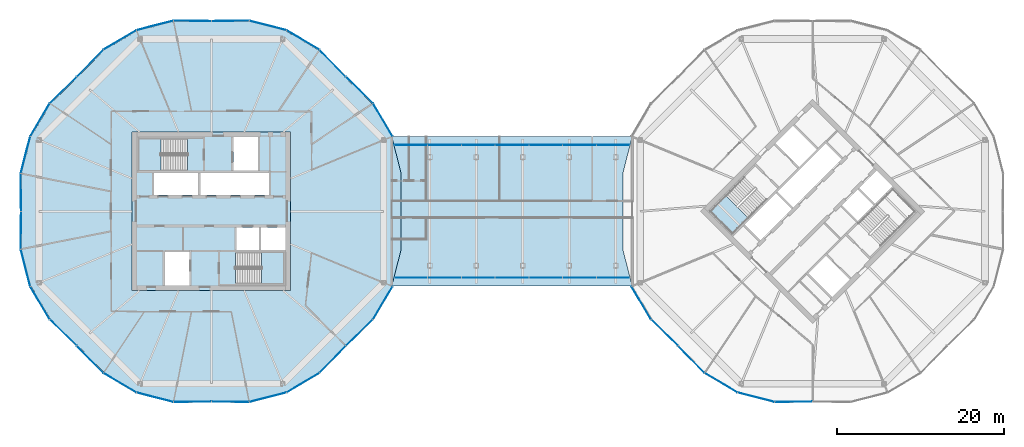
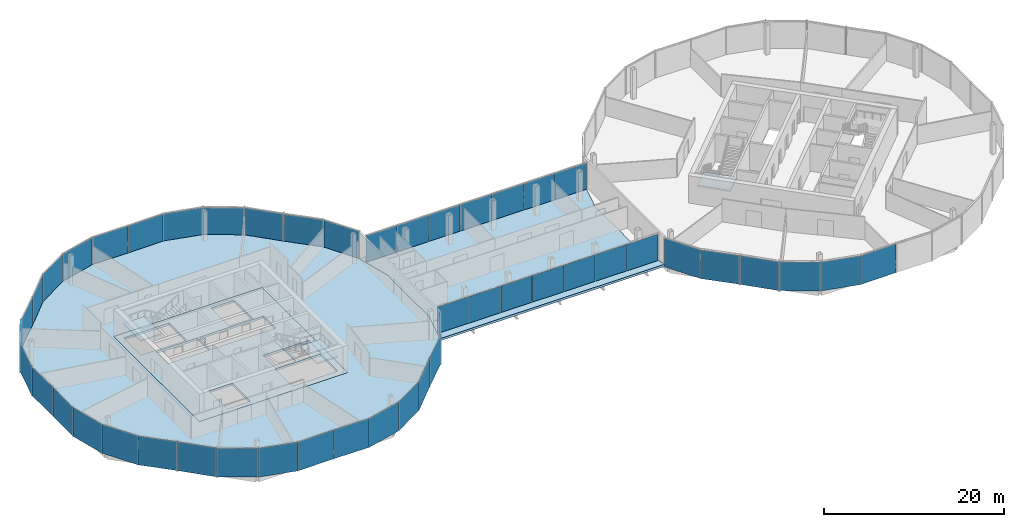
# One storey, part 17 of 25: 48 plates, 6 slabs, 15 elements without a shape of their own.
"""IFC4 building model written with IfcOpenShell, lengths in metres."""

from ifc_helpers import new_model, si_unit, direction, frame, origin, origin_2d, place, context, subcontext, project, spatial, polyline, rectangle, outline, extrude, material, layer, layer_set, type_object, element, aggregate, save


model = new_model("IFC4")

# Units and contexts
model_context = context("Model", 3, precision=1e-05, world=origin(), true_north=direction((0.0, 1.0)))
body_context = subcontext(model_context, "Body", "Model", "MODEL_VIEW")
ifc_project = project(units=[si_unit("LENGTHUNIT", "METRE"), si_unit("AREAUNIT", "SQUARE_METRE"), si_unit("VOLUMEUNIT", "CUBIC_METRE"), si_unit("PLANEANGLEUNIT", "RADIAN"), si_unit("MASSUNIT", "GRAM", prefix="KILO")], contexts=[model_context])

# Site, building, storey
site_placement = place(None, origin())
site = spatial("IfcSite", under=ifc_project, at=site_placement, CompositionType="ELEMENT")
building_placement = place(site_placement, origin())
building = spatial("IfcBuilding", under=site, at=building_placement, Name="Ogive Gate Towers", CompositionType="ELEMENT")
storey_placement = place(building_placement, frame((0.0, 0.0, 140.800048828125)))
storey = spatial("IfcBuildingStorey", under=building, at=storey_placement, Name="L33", CompositionType="ELEMENT", Elevation=140.800048828125)

# Slabs
ifc_material_1 = material(Name="Concrete C40/50", Category="concrete")
ifc_layer_1 = layer(ifc_material_1, 0.300048828125)
ifc_layer_set_1 = layer_set([ifc_layer_1], Name="Core slab C40/50 300 mm")
slab_type_1 = type_object("IfcSlabType", Name="Core slab C40/50 300 mm", PredefinedType="FLOOR", material=ifc_layer_set_1)
slab_1_placement = place(storey_placement, frame((0.0, 0.0, -0.300048828125)))
element("IfcSlab", 1, at=slab_1_placement, inside=storey, type_object=slab_type_1, Name="T1 L33 core slab", PredefinedType="FLOOR", context=body_context, shape_type="SweptSolid", body=[
    extrude(outline(polyline([(-45.5, -9.5), (-45.5, 9.5), (-26.5, 9.5), (-26.5, -9.5), (-45.5, -9.5)]), holes=[polyline([(-42.875, 1.949951171875), (-37.574951171875, 1.949951171875), (-37.574951171875, 4.625), (-42.875, 4.625), (-42.875, 1.949951171875)]), polyline([(-37.324951171875, 4.625), (-37.324951171875, 1.949951171875), (-29.125, 1.949951171875), (-29.125, 4.625), (-37.324951171875, 4.625)]), polyline([(-30.324951171875, -1.949951171875), (-32.97509765625, -1.949951171875), (-32.97509765625, -4.625), (-30.324951171875, -4.625), (-30.324951171875, -1.949951171875)]), polyline([(-27.10009765625, -4.625), (-27.10009765625, -1.949951171875), (-30.074951171875, -1.949951171875), (-30.074951171875, -4.625), (-27.10009765625, -4.625)]), polyline([(-33.375, 4.875), (-30.425048828125, 4.875), (-30.425048828125, 8.89990234375), (-33.375, 8.89990234375), (-33.375, 4.875)]), polyline([(-41.574951171875, -4.875), (-41.574951171875, -8.89990234375), (-38.625, -8.89990234375), (-38.625, -4.875), (-41.574951171875, -4.875)]), polyline([(-44.699951171875, 4.875), (-38.885009765625, 4.875), (-38.885009765625, 8.699951171875), (-44.699951171875, 8.699951171875), (-44.699951171875, 4.875)]), polyline([(-27.300048828125, -8.699951171875), (-27.300048828125, -4.875), (-33.114990234375, -4.875), (-33.114990234375, -8.699951171875), (-27.300048828125, -8.699951171875)])]), origin(), (0.0, 0.0, 1.0), 0.300048828125),
])
ifc_material_2 = material(Name="Concrete C35/45", Category="concrete")
ifc_layer_2 = layer(ifc_material_2, 0.300048828125)
ifc_layer_set_2 = layer_set([ifc_layer_2], Name="Floor slab 300")
slab_type_2 = type_object("IfcSlabType", Name="Floor slab 300", PredefinedType="FLOOR", material=ifc_layer_set_2)
slab_2_placement = place(storey_placement, frame((0.0, 0.0, -0.300048828125)))
element("IfcSlab", 2, at=slab_2_placement, inside=storey, type_object=slab_type_2, Name="T1/L33/SSL001", PredefinedType="FLOOR", context=body_context, shape_type="SweptSolid", body=[
    extrude(outline(polyline([(-13.265380859375, -4.522216796875), (-13.320068359375, 0.0), (-13.265380859375, 4.522216796875), (-14.399658203125, 8.947021484375), (-16.7265625, 12.878173828125), (-19.962890625, 16.037109375), (-23.121826171875, 19.2734375), (-27.052978515625, 21.600341796875), (-31.477783203125, 22.734619140625), (-36.0, 22.679931640625), (-40.522216796875, 22.734619140625), (-44.947021484375, 21.600341796875), (-48.878173828125, 19.2734375), (-52.037109375, 16.037109375), (-55.2734375, 12.878173828125), (-57.600341796875, 8.947021484375), (-58.734619140625, 4.522216796875), (-58.679931640625, 0.0), (-58.734619140625, -4.522216796875), (-57.600341796875, -8.947021484375), (-55.2734375, -12.878173828125), (-52.037109375, -16.037109375), (-48.878173828125, -19.2734375), (-44.947021484375, -21.600341796875), (-40.522216796875, -22.734619140625), (-36.0, -22.679931640625), (-31.477783203125, -22.734619140625), (-27.052978515625, -21.600341796875), (-23.121826171875, -19.2734375), (-19.962890625, -16.037109375), (-16.7265625, -12.878173828125), (-14.399658203125, -8.947021484375), (-13.265380859375, -4.522216796875)]), holes=[polyline([(-26.5, -9.5), (-45.5, -9.5), (-45.5, 9.5), (-26.5, 9.5), (-26.5, -9.5)])]), origin(), (0.0, 0.0, 1.0), 0.300048828125),
])
slab_3_placement = place(storey_placement, frame((0.0, 0.0, -0.300048828125)))
element("IfcSlab", 3, at=slab_3_placement, inside=storey, type_object=slab_type_2, Name="BR/L33/SSL001", PredefinedType="FLOOR", context=body_context, shape_type="SweptSolid", body=[
    extrude(outline(polyline([(-14.399658203125, -8.947021484375), (14.399658203125, -8.947021484375), (14.399658203125, -8.947021484375), (13.265380859375, -4.522216796875), (13.320068359375, 0.0), (13.265380859375, 4.522216796875), (14.399658203125, 8.947021484375), (-14.399658203125, 8.947021484375), (-13.265380859375, 4.522216796875), (-13.320068359375, 0.0), (-13.265380859375, -4.522216796875), (-14.399658203125, -8.947021484375), (-14.399658203125, -8.947021484375)])), origin(), (0.0, 0.0, 1.0), 0.300048828125),
])

# Curtain wall, plates
ifc_material_3 = material(Name="Pale metal aluminium", Category="aluminium")
curtain_wall_type_1 = type_object("IfcCurtainWallType", Name="Gate block facade", PredefinedType="NOTDEFINED", material=ifc_material_3)
curtain_wall_1_placement = place(storey_placement, origin())
curtain_wall_1 = element("IfcCurtainWall", 4, at=curtain_wall_1_placement, inside=storey, type_object=curtain_wall_type_1, Name="CW3 BR ECW01", PredefinedType="NOTDEFINED")
ifc_material_4 = material(Name="Clear glass", Category="glass")
ifc_layer_3 = layer(ifc_material_4, 0.028076171875)
ifc_layer_set_3 = layer_set([ifc_layer_3], Name="Gate block facade glass panel")
plate_type_1 = type_object("IfcPlateType", Name="Gate block facade glass panel", PredefinedType="CURTAIN_PANEL", material=ifc_layer_set_3)
plate_1_placement = place(storey_placement, frame((-12.122802734375, -7.947021484375, -0.30029296875), z_axis=(0.0, 0.0, 1.0), x_axis=(1.0, 0.0, 0.0)))
plate_1 = element("IfcPlate", 5, at=plate_1_placement, type_object=plate_type_1, Name="CW3 glass panel", PredefinedType="CURTAIN_PANEL", context=body_context, shape_type="SweptSolid", body=[
    extrude(rectangle(XDim=3.987060546875, YDim=0.028076171875, at=origin_2d()), origin(), (0.0, 0.0, 1.0), 3.884033203125),
])
plate_2_placement = place(storey_placement, frame((-8.081787109375, -7.947021484375, -0.30029296875), z_axis=(0.0, 0.0, 1.0), x_axis=(1.0, 0.0, 0.0)))
plate_2 = element("IfcPlate", 6, at=plate_2_placement, type_object=plate_type_1, Name="CW3 glass panel", PredefinedType="CURTAIN_PANEL", context=body_context, shape_type="SweptSolid", body=[
    extrude(rectangle(XDim=3.987060546875, YDim=0.028076171875, at=origin_2d()), origin(), (0.0, 0.0, 1.0), 3.884033203125),
])
plate_3_placement = place(storey_placement, frame((-4.041015625, -7.947021484375, -0.30029296875), z_axis=(0.0, 0.0, 1.0), x_axis=(1.0, 0.0, 0.0)))
plate_3 = element("IfcPlate", 7, at=plate_3_placement, type_object=plate_type_1, Name="CW3 glass panel", PredefinedType="CURTAIN_PANEL", context=body_context, shape_type="SweptSolid", body=[
    extrude(rectangle(XDim=3.98681640625, YDim=0.028076171875, at=origin_2d()), origin(), (0.0, 0.0, 1.0), 3.884033203125),
])
plate_4_placement = place(storey_placement, frame((0.0, -7.947021484375, -0.30029296875), z_axis=(0.0, 0.0, 1.0), x_axis=(1.0, 0.0, 0.0)))
plate_4 = element("IfcPlate", 8, at=plate_4_placement, type_object=plate_type_1, Name="CW3 glass panel", PredefinedType="CURTAIN_PANEL", context=body_context, shape_type="SweptSolid", body=[
    extrude(rectangle(XDim=3.987060546875, YDim=0.028076171875, at=origin_2d()), origin(), (0.0, 0.0, 1.0), 3.884033203125),
])
plate_5_placement = place(storey_placement, frame((4.041015625, -7.947021484375, -0.30029296875), z_axis=(0.0, 0.0, 1.0), x_axis=(1.0, 0.0, 0.0)))
plate_5 = element("IfcPlate", 9, at=plate_5_placement, type_object=plate_type_1, Name="CW3 glass panel", PredefinedType="CURTAIN_PANEL", context=body_context, shape_type="SweptSolid", body=[
    extrude(rectangle(XDim=3.98681640625, YDim=0.028076171875, at=origin_2d()), origin(), (0.0, 0.0, 1.0), 3.884033203125),
])
plate_6_placement = place(storey_placement, frame((8.081787109375, -7.947021484375, -0.30029296875), z_axis=(0.0, 0.0, 1.0), x_axis=(1.0, 0.0, 0.0)))
plate_6 = element("IfcPlate", 10, at=plate_6_placement, type_object=plate_type_1, Name="CW3 glass panel", PredefinedType="CURTAIN_PANEL", context=body_context, shape_type="SweptSolid", body=[
    extrude(rectangle(XDim=3.987060546875, YDim=0.028076171875, at=origin_2d()), origin(), (0.0, 0.0, 1.0), 3.884033203125),
])
plate_7_placement = place(storey_placement, frame((12.122802734375, -7.947021484375, -0.30029296875), z_axis=(0.0, 0.0, 1.0), x_axis=(1.0, 0.0, 0.0)))
plate_7 = element("IfcPlate", 11, at=plate_7_placement, type_object=plate_type_1, Name="CW3 glass panel", PredefinedType="CURTAIN_PANEL", context=body_context, shape_type="SweptSolid", body=[
    extrude(rectangle(XDim=3.987060546875, YDim=0.028076171875, at=origin_2d()), origin(), (0.0, 0.0, 1.0), 3.884033203125),
])
aggregate(curtain_wall_1, [plate_1, plate_2, plate_3, plate_4, plate_5, plate_6, plate_7])

curtain_wall_2_placement = place(storey_placement, origin())
curtain_wall_2 = element("IfcCurtainWall", 12, at=curtain_wall_2_placement, inside=storey, type_object=curtain_wall_type_1, Name="CW3 BR ECW02", PredefinedType="NOTDEFINED")
plate_8_placement = place(storey_placement, frame((12.122802734375, 7.947021484375, -0.30029296875), z_axis=(0.0, 0.0, 1.0), x_axis=(-1.0, 0.0, 0.0)))
plate_8 = element("IfcPlate", 13, at=plate_8_placement, type_object=plate_type_1, Name="CW3 glass panel", PredefinedType="CURTAIN_PANEL", context=body_context, shape_type="SweptSolid", body=[
    extrude(rectangle(XDim=3.987060546875, YDim=0.028076171875, at=origin_2d()), origin(), (0.0, 0.0, 1.0), 3.884033203125),
])
plate_9_placement = place(storey_placement, frame((8.081787109375, 7.947021484375, -0.30029296875), z_axis=(0.0, 0.0, 1.0), x_axis=(-1.0, 0.0, 0.0)))
plate_9 = element("IfcPlate", 14, at=plate_9_placement, type_object=plate_type_1, Name="CW3 glass panel", PredefinedType="CURTAIN_PANEL", context=body_context, shape_type="SweptSolid", body=[
    extrude(rectangle(XDim=3.987060546875, YDim=0.028076171875, at=origin_2d()), origin(), (0.0, 0.0, 1.0), 3.884033203125),
])
plate_10_placement = place(storey_placement, frame((4.041015625, 7.947021484375, -0.30029296875), z_axis=(0.0, 0.0, 1.0), x_axis=(-1.0, 0.0, 0.0)))
plate_10 = element("IfcPlate", 15, at=plate_10_placement, type_object=plate_type_1, Name="CW3 glass panel", PredefinedType="CURTAIN_PANEL", context=body_context, shape_type="SweptSolid", body=[
    extrude(rectangle(XDim=3.98681640625, YDim=0.028076171875, at=origin_2d()), origin(), (0.0, 0.0, 1.0), 3.884033203125),
])
plate_11_placement = place(storey_placement, frame((0.0, 7.947021484375, -0.30029296875), z_axis=(0.0, 0.0, 1.0), x_axis=(-1.0, 0.0, 0.0)))
plate_11 = element("IfcPlate", 16, at=plate_11_placement, type_object=plate_type_1, Name="CW3 glass panel", PredefinedType="CURTAIN_PANEL", context=body_context, shape_type="SweptSolid", body=[
    extrude(rectangle(XDim=3.987060546875, YDim=0.028076171875, at=origin_2d()), origin(), (0.0, 0.0, 1.0), 3.884033203125),
])
plate_12_placement = place(storey_placement, frame((-4.041015625, 7.947021484375, -0.30029296875), z_axis=(0.0, 0.0, 1.0), x_axis=(-1.0, 0.0, 0.0)))
plate_12 = element("IfcPlate", 17, at=plate_12_placement, type_object=plate_type_1, Name="CW3 glass panel", PredefinedType="CURTAIN_PANEL", context=body_context, shape_type="SweptSolid", body=[
    extrude(rectangle(XDim=3.98681640625, YDim=0.028076171875, at=origin_2d()), origin(), (0.0, 0.0, 1.0), 3.884033203125),
])
plate_13_placement = place(storey_placement, frame((-8.081787109375, 7.947021484375, -0.30029296875), z_axis=(0.0, 0.0, 1.0), x_axis=(-1.0, 0.0, 0.0)))
plate_13 = element("IfcPlate", 18, at=plate_13_placement, type_object=plate_type_1, Name="CW3 glass panel", PredefinedType="CURTAIN_PANEL", context=body_context, shape_type="SweptSolid", body=[
    extrude(rectangle(XDim=3.987060546875, YDim=0.028076171875, at=origin_2d()), origin(), (0.0, 0.0, 1.0), 3.884033203125),
])
plate_14_placement = place(storey_placement, frame((-12.122802734375, 7.947021484375, -0.30029296875), z_axis=(0.0, 0.0, 1.0), x_axis=(-1.0, 0.0, 0.0)))
plate_14 = element("IfcPlate", 19, at=plate_14_placement, type_object=plate_type_1, Name="CW3 glass panel", PredefinedType="CURTAIN_PANEL", context=body_context, shape_type="SweptSolid", body=[
    extrude(rectangle(XDim=3.987060546875, YDim=0.028076171875, at=origin_2d()), origin(), (0.0, 0.0, 1.0), 3.884033203125),
])
aggregate(curtain_wall_2, [plate_8, plate_9, plate_10, plate_11, plate_12, plate_13, plate_14])

# Stair, slab
stair_type = type_object("IfcStairType", Name="Escape stair 1840 wide", PredefinedType="HALF_TURN_STAIR", material=ifc_material_1)
stair_1_placement = place(storey_placement, origin())
stair_1 = element("IfcStair", 20, at=stair_1_placement, inside=storey, type_object=stair_type, Name="L33 Escape stair 1", PredefinedType="HALF_TURN_STAIR")
ifc_layer_4 = layer(ifc_material_1, 0.199951171875)
ifc_layer_set_4 = layer_set([ifc_layer_4], Name="Stair landing 200 mm")
slab_type_3 = type_object("IfcSlabType", Name="Stair landing 200 mm", PredefinedType="LANDING", material=ifc_layer_set_4)
slab_4_placement = place(storey_placement, frame((0.0, 0.0, 1.800048828125)))
slab_4 = element("IfcSlab", 21, at=slab_4_placement, type_object=slab_type_3, Name="ST1 landing 1", PredefinedType="LANDING", context=body_context, shape_type="SweptSolid", body=[
    extrude(outline(polyline([(-42.027587890625, 8.699951171875), (-44.699951171875, 8.699951171875), (-44.699951171875, 4.875), (-42.027587890625, 4.875), (-42.027587890625, 8.699951171875)])), origin(), (0.0, 0.0, 1.0), 0.199951171875),
])
aggregate(stair_1, [slab_4])

stair_2_placement = place(storey_placement, origin())
stair_2 = element("IfcStair", 22, at=stair_2_placement, inside=storey, type_object=stair_type, Name="L33 Escape stair 2", PredefinedType="HALF_TURN_STAIR")
slab_5_placement = place(storey_placement, frame((0.0, 0.0, 1.800048828125)))
slab_5 = element("IfcSlab", 23, at=slab_5_placement, type_object=slab_type_3, Name="ST2 landing 1", PredefinedType="LANDING", context=body_context, shape_type="SweptSolid", body=[
    extrude(outline(polyline([(-29.972412109375, -8.699951171875), (-27.300048828125, -8.699951171875), (-27.300048828125, -4.875), (-29.972412109375, -4.875), (-29.972412109375, -8.699951171875)])), origin(), (0.0, 0.0, 1.0), 0.199951171875),
])
aggregate(stair_2, [slab_5])

stair_3_placement = place(storey_placement, origin())
stair_3 = element("IfcStair", 24, at=stair_3_placement, inside=storey, type_object=stair_type, Name="L33 Escape stair 1", PredefinedType="HALF_TURN_STAIR")
slab_6_placement = place(storey_placement, frame((0.0, 0.0, 1.800048828125)))
slab_6 = element("IfcSlab", 25, at=slab_6_placement, type_object=slab_type_3, Name="ST1 landing 1", PredefinedType="LANDING", context=body_context, shape_type="SweptSolid", body=[
    extrude(outline(polyline([(25.586181640625, 1.8896484375), (23.6962890625, 0.0), (26.401123046875, -2.70458984375), (28.290771484375, -0.81494140625), (25.586181640625, 1.8896484375)])), origin(), (0.0, 0.0, 1.0), 0.199951171875),
])
aggregate(stair_3, [slab_6])

# Curtain wall, plates
curtain_wall_type_2 = type_object("IfcCurtainWallType", Name="Tower unitised wall, high zone", PredefinedType="NOTDEFINED", material=ifc_material_3)
curtain_wall_3_placement = place(storey_placement, origin())
curtain_wall_3 = element("IfcCurtainWall", 26, at=curtain_wall_3_placement, inside=storey, type_object=curtain_wall_type_2, Name="CW2 T1 ECW01", PredefinedType="NOTDEFINED")
ifc_layer_5 = layer(ifc_material_4, 0.028076171875)
ifc_layer_set_5 = layer_set([ifc_layer_5], Name="Tower unitised wall, high zone glass panel")
plate_type_2 = type_object("IfcPlateType", Name="Tower unitised wall, high zone glass panel", PredefinedType="CURTAIN_PANEL", material=ifc_layer_set_5)
plate_15_placement = place(storey_placement, frame((-15.475830078125, 10.96142578125, -0.30029296875), z_axis=(0.0, 0.0, 1.0), x_axis=(-0.509371879429, 0.860546505685, 0.0)))
plate_15 = element("IfcPlate", 27, at=plate_15_placement, type_object=plate_type_2, Name="CW2 glass panel", PredefinedType="CURTAIN_PANEL", context=body_context, shape_type="SweptSolid", body=[
    extrude(rectangle(XDim=4.53759765625, YDim=0.028076171875, at=origin_2d()), origin(), (0.0, 0.0, 1.0), 3.904052734375),
])
plate_16_placement = place(storey_placement, frame((-18.27099609375, 14.525390625, -0.30029296875), z_axis=(0.0, 0.0, 1.0), x_axis=(-0.715595209557, 0.69851520818, 0.0)))
plate_16 = element("IfcPlate", 28, at=plate_16_placement, type_object=plate_type_2, Name="CW2 glass panel", PredefinedType="CURTAIN_PANEL", context=body_context, shape_type="SweptSolid", body=[
    extrude(rectangle(XDim=4.476806640625, YDim=0.028076171875, at=origin_2d()), origin(), (0.0, 0.0, 1.0), 3.904052734375),
])
aggregate(curtain_wall_3, [plate_15, plate_16])

curtain_wall_4_placement = place(storey_placement, origin())
curtain_wall_4 = element("IfcCurtainWall", 29, at=curtain_wall_4_placement, inside=storey, type_object=curtain_wall_type_2, Name="CW2 T1 ECW02", PredefinedType="NOTDEFINED")
plate_17_placement = place(storey_placement, frame((-21.474609375, 17.72900390625, -0.30029296875), z_axis=(0.0, 0.0, 1.0), x_axis=(-0.69851520818, 0.715595209557, 0.0)))
plate_17 = element("IfcPlate", 30, at=plate_17_placement, type_object=plate_type_2, Name="CW2 glass panel", PredefinedType="CURTAIN_PANEL", context=body_context, shape_type="SweptSolid", body=[
    extrude(rectangle(XDim=4.476806640625, YDim=0.028076171875, at=origin_2d()), origin(), (0.0, 0.0, 1.0), 3.904052734375),
])
plate_18_placement = place(storey_placement, frame((-25.036865234375, 20.523193359375, -0.30029296875), z_axis=(0.0, 0.0, 1.0), x_axis=(-0.860546505685, 0.509371879429, 0.0)))
plate_18 = element("IfcPlate", 31, at=plate_18_placement, type_object=plate_type_2, Name="CW2 glass panel", PredefinedType="CURTAIN_PANEL", context=body_context, shape_type="SweptSolid", body=[
    extrude(rectangle(XDim=4.53369140625, YDim=0.028076171875, at=origin_2d()), origin(), (0.0, 0.0, 1.0), 3.904052734375),
])
plate_19_placement = place(storey_placement, frame((-29.239990234375, 22.26416015625, -0.30029296875), z_axis=(0.0, 0.0, 1.0), x_axis=(-0.968674245673, 0.248334866199, 0.0)))
plate_19 = element("IfcPlate", 32, at=plate_19_placement, type_object=plate_type_2, Name="CW2 glass panel", PredefinedType="CURTAIN_PANEL", context=body_context, shape_type="SweptSolid", body=[
    extrude(rectangle(XDim=4.53369140625, YDim=0.028076171875, at=origin_2d()), origin(), (0.0, 0.0, 1.0), 3.904052734375),
])
plate_20_placement = place(storey_placement, frame((-33.73486328125, 22.807373046875, -0.30029296875), z_axis=(0.0, 0.0, 1.0), x_axis=(-0.999927065729, -0.012077384797, 0.0)))
plate_20 = element("IfcPlate", 33, at=plate_20_placement, type_object=plate_type_2, Name="CW2 glass panel", PredefinedType="CURTAIN_PANEL", context=body_context, shape_type="SweptSolid", body=[
    extrude(rectangle(XDim=4.476806640625, YDim=0.028076171875, at=origin_2d()), origin(), (0.0, 0.0, 1.0), 3.904052734375),
])
aggregate(curtain_wall_4, [plate_17, plate_18, plate_19, plate_20])

curtain_wall_5_placement = place(storey_placement, origin())
curtain_wall_5 = element("IfcCurtainWall", 34, at=curtain_wall_5_placement, inside=storey, type_object=curtain_wall_type_2, Name="CW2 T1 ECW03", PredefinedType="NOTDEFINED")
plate_21_placement = place(storey_placement, frame((-38.26513671875, 22.807373046875, -0.30029296875), z_axis=(0.0, 0.0, 1.0), x_axis=(-0.999927065729, 0.012077384797, 0.0)))
plate_21 = element("IfcPlate", 35, at=plate_21_placement, type_object=plate_type_2, Name="CW2 glass panel", PredefinedType="CURTAIN_PANEL", context=body_context, shape_type="SweptSolid", body=[
    extrude(rectangle(XDim=4.476806640625, YDim=0.028076171875, at=origin_2d()), origin(), (0.0, 0.0, 1.0), 3.904052734375),
])
plate_22_placement = place(storey_placement, frame((-42.760009765625, 22.26416015625, -0.30029296875), z_axis=(0.0, 0.0, 1.0), x_axis=(-0.968674245673, -0.248334866199, 0.0)))
plate_22 = element("IfcPlate", 36, at=plate_22_placement, type_object=plate_type_2, Name="CW2 glass panel", PredefinedType="CURTAIN_PANEL", context=body_context, shape_type="SweptSolid", body=[
    extrude(rectangle(XDim=4.53369140625, YDim=0.028076171875, at=origin_2d()), origin(), (0.0, 0.0, 1.0), 3.904052734375),
])
plate_23_placement = place(storey_placement, frame((-46.963134765625, 20.523193359375, -0.30029296875), z_axis=(0.0, 0.0, 1.0), x_axis=(-0.860546505685, -0.509371879429, 0.0)))
plate_23 = element("IfcPlate", 37, at=plate_23_placement, type_object=plate_type_2, Name="CW2 glass panel", PredefinedType="CURTAIN_PANEL", context=body_context, shape_type="SweptSolid", body=[
    extrude(rectangle(XDim=4.53369140625, YDim=0.028076171875, at=origin_2d()), origin(), (0.0, 0.0, 1.0), 3.904052734375),
])
plate_24_placement = place(storey_placement, frame((-50.525390625, 17.72900390625, -0.30029296875), z_axis=(0.0, 0.0, 1.0), x_axis=(-0.69851520818, -0.715595209557, 0.0)))
plate_24 = element("IfcPlate", 38, at=plate_24_placement, type_object=plate_type_2, Name="CW2 glass panel", PredefinedType="CURTAIN_PANEL", context=body_context, shape_type="SweptSolid", body=[
    extrude(rectangle(XDim=4.476806640625, YDim=0.028076171875, at=origin_2d()), origin(), (0.0, 0.0, 1.0), 3.904052734375),
])
aggregate(curtain_wall_5, [plate_21, plate_22, plate_23, plate_24])

curtain_wall_6_placement = place(storey_placement, origin())
curtain_wall_6 = element("IfcCurtainWall", 39, at=curtain_wall_6_placement, inside=storey, type_object=curtain_wall_type_2, Name="CW2 T1 ECW04", PredefinedType="NOTDEFINED")
plate_25_placement = place(storey_placement, frame((-53.72900390625, 14.525390625, -0.30029296875), z_axis=(0.0, 0.0, 1.0), x_axis=(-0.715595209557, -0.69851520818, 0.0)))
plate_25 = element("IfcPlate", 40, at=plate_25_placement, type_object=plate_type_2, Name="CW2 glass panel", PredefinedType="CURTAIN_PANEL", context=body_context, shape_type="SweptSolid", body=[
    extrude(rectangle(XDim=4.476806640625, YDim=0.028076171875, at=origin_2d()), origin(), (0.0, 0.0, 1.0), 3.904052734375),
])
plate_26_placement = place(storey_placement, frame((-56.523193359375, 10.963134765625, -0.30029296875), z_axis=(0.0, 0.0, 1.0), x_axis=(-0.509371879429, -0.860546505685, 0.0)))
plate_26 = element("IfcPlate", 41, at=plate_26_placement, type_object=plate_type_2, Name="CW2 glass panel", PredefinedType="CURTAIN_PANEL", context=body_context, shape_type="SweptSolid", body=[
    extrude(rectangle(XDim=4.53369140625, YDim=0.028076171875, at=origin_2d()), origin(), (0.0, 0.0, 1.0), 3.904052734375),
])
plate_27_placement = place(storey_placement, frame((-58.26416015625, 6.760009765625, -0.30029296875), z_axis=(0.0, 0.0, 1.0), x_axis=(-0.248334866199, -0.968674245673, 0.0)))
plate_27 = element("IfcPlate", 42, at=plate_27_placement, type_object=plate_type_2, Name="CW2 glass panel", PredefinedType="CURTAIN_PANEL", context=body_context, shape_type="SweptSolid", body=[
    extrude(rectangle(XDim=4.53369140625, YDim=0.028076171875, at=origin_2d()), origin(), (0.0, 0.0, 1.0), 3.904052734375),
])
plate_28_placement = place(storey_placement, frame((-58.807373046875, 2.26513671875, -0.30029296875), z_axis=(0.0, 0.0, 1.0), x_axis=(0.012077384797, -0.999927065729, 0.0)))
plate_28 = element("IfcPlate", 43, at=plate_28_placement, type_object=plate_type_2, Name="CW2 glass panel", PredefinedType="CURTAIN_PANEL", context=body_context, shape_type="SweptSolid", body=[
    extrude(rectangle(XDim=4.476806640625, YDim=0.028076171875, at=origin_2d()), origin(), (0.0, 0.0, 1.0), 3.904052734375),
])
aggregate(curtain_wall_6, [plate_25, plate_26, plate_27, plate_28])

curtain_wall_7_placement = place(storey_placement, origin())
curtain_wall_7 = element("IfcCurtainWall", 44, at=curtain_wall_7_placement, inside=storey, type_object=curtain_wall_type_2, Name="CW2 T1 ECW05", PredefinedType="NOTDEFINED")
plate_29_placement = place(storey_placement, frame((-58.807373046875, -2.26513671875, -0.30029296875), z_axis=(0.0, 0.0, 1.0), x_axis=(-0.012077384797, -0.999927065729, 0.0)))
plate_29 = element("IfcPlate", 45, at=plate_29_placement, type_object=plate_type_2, Name="CW2 glass panel", PredefinedType="CURTAIN_PANEL", context=body_context, shape_type="SweptSolid", body=[
    extrude(rectangle(XDim=4.476806640625, YDim=0.028076171875, at=origin_2d()), origin(), (0.0, 0.0, 1.0), 3.904052734375),
])
plate_30_placement = place(storey_placement, frame((-58.26416015625, -6.760009765625, -0.30029296875), z_axis=(0.0, 0.0, 1.0), x_axis=(0.248334866199, -0.968674245673, 0.0)))
plate_30 = element("IfcPlate", 46, at=plate_30_placement, type_object=plate_type_2, Name="CW2 glass panel", PredefinedType="CURTAIN_PANEL", context=body_context, shape_type="SweptSolid", body=[
    extrude(rectangle(XDim=4.53369140625, YDim=0.028076171875, at=origin_2d()), origin(), (0.0, 0.0, 1.0), 3.904052734375),
])
plate_31_placement = place(storey_placement, frame((-56.523193359375, -10.963134765625, -0.30029296875), z_axis=(0.0, 0.0, 1.0), x_axis=(0.509371879429, -0.860546505685, 0.0)))
plate_31 = element("IfcPlate", 47, at=plate_31_placement, type_object=plate_type_2, Name="CW2 glass panel", PredefinedType="CURTAIN_PANEL", context=body_context, shape_type="SweptSolid", body=[
    extrude(rectangle(XDim=4.53369140625, YDim=0.028076171875, at=origin_2d()), origin(), (0.0, 0.0, 1.0), 3.904052734375),
])
plate_32_placement = place(storey_placement, frame((-53.72900390625, -14.525390625, -0.30029296875), z_axis=(0.0, 0.0, 1.0), x_axis=(0.715595209557, -0.69851520818, 0.0)))
plate_32 = element("IfcPlate", 48, at=plate_32_placement, type_object=plate_type_2, Name="CW2 glass panel", PredefinedType="CURTAIN_PANEL", context=body_context, shape_type="SweptSolid", body=[
    extrude(rectangle(XDim=4.476806640625, YDim=0.028076171875, at=origin_2d()), origin(), (0.0, 0.0, 1.0), 3.904052734375),
])
aggregate(curtain_wall_7, [plate_29, plate_30, plate_31, plate_32])

curtain_wall_8_placement = place(storey_placement, origin())
curtain_wall_8 = element("IfcCurtainWall", 49, at=curtain_wall_8_placement, inside=storey, type_object=curtain_wall_type_2, Name="CW2 T1 ECW06", PredefinedType="NOTDEFINED")
plate_33_placement = place(storey_placement, frame((-50.525390625, -17.72900390625, -0.30029296875), z_axis=(0.0, 0.0, 1.0), x_axis=(0.69851520818, -0.715595209557, 0.0)))
plate_33 = element("IfcPlate", 50, at=plate_33_placement, type_object=plate_type_2, Name="CW2 glass panel", PredefinedType="CURTAIN_PANEL", context=body_context, shape_type="SweptSolid", body=[
    extrude(rectangle(XDim=4.476806640625, YDim=0.028076171875, at=origin_2d()), origin(), (0.0, 0.0, 1.0), 3.904052734375),
])
plate_34_placement = place(storey_placement, frame((-46.963134765625, -20.523193359375, -0.30029296875), z_axis=(0.0, 0.0, 1.0), x_axis=(0.860546505685, -0.509371879429, 0.0)))
plate_34 = element("IfcPlate", 51, at=plate_34_placement, type_object=plate_type_2, Name="CW2 glass panel", PredefinedType="CURTAIN_PANEL", context=body_context, shape_type="SweptSolid", body=[
    extrude(rectangle(XDim=4.53369140625, YDim=0.028076171875, at=origin_2d()), origin(), (0.0, 0.0, 1.0), 3.904052734375),
])
plate_35_placement = place(storey_placement, frame((-42.760009765625, -22.26416015625, -0.30029296875), z_axis=(0.0, 0.0, 1.0), x_axis=(0.968674245673, -0.248334866199, 0.0)))
plate_35 = element("IfcPlate", 52, at=plate_35_placement, type_object=plate_type_2, Name="CW2 glass panel", PredefinedType="CURTAIN_PANEL", context=body_context, shape_type="SweptSolid", body=[
    extrude(rectangle(XDim=4.53369140625, YDim=0.028076171875, at=origin_2d()), origin(), (0.0, 0.0, 1.0), 3.904052734375),
])
plate_36_placement = place(storey_placement, frame((-38.26513671875, -22.807373046875, -0.30029296875), z_axis=(0.0, 0.0, 1.0), x_axis=(0.999927065729, 0.012077384797, 0.0)))
plate_36 = element("IfcPlate", 53, at=plate_36_placement, type_object=plate_type_2, Name="CW2 glass panel", PredefinedType="CURTAIN_PANEL", context=body_context, shape_type="SweptSolid", body=[
    extrude(rectangle(XDim=4.476806640625, YDim=0.028076171875, at=origin_2d()), origin(), (0.0, 0.0, 1.0), 3.904052734375),
])
aggregate(curtain_wall_8, [plate_33, plate_34, plate_35, plate_36])

curtain_wall_9_placement = place(storey_placement, origin())
curtain_wall_9 = element("IfcCurtainWall", 54, at=curtain_wall_9_placement, inside=storey, type_object=curtain_wall_type_2, Name="CW2 T1 ECW07", PredefinedType="NOTDEFINED")
plate_37_placement = place(storey_placement, frame((-33.73486328125, -22.807373046875, -0.30029296875), z_axis=(0.0, 0.0, 1.0), x_axis=(0.999927065729, -0.012077384797, 0.0)))
plate_37 = element("IfcPlate", 55, at=plate_37_placement, type_object=plate_type_2, Name="CW2 glass panel", PredefinedType="CURTAIN_PANEL", context=body_context, shape_type="SweptSolid", body=[
    extrude(rectangle(XDim=4.476806640625, YDim=0.028076171875, at=origin_2d()), origin(), (0.0, 0.0, 1.0), 3.904052734375),
])
plate_38_placement = place(storey_placement, frame((-29.239990234375, -22.26416015625, -0.30029296875), z_axis=(0.0, 0.0, 1.0), x_axis=(0.968674245673, 0.248334866199, 0.0)))
plate_38 = element("IfcPlate", 56, at=plate_38_placement, type_object=plate_type_2, Name="CW2 glass panel", PredefinedType="CURTAIN_PANEL", context=body_context, shape_type="SweptSolid", body=[
    extrude(rectangle(XDim=4.53369140625, YDim=0.028076171875, at=origin_2d()), origin(), (0.0, 0.0, 1.0), 3.904052734375),
])
plate_39_placement = place(storey_placement, frame((-25.036865234375, -20.523193359375, -0.30029296875), z_axis=(0.0, 0.0, 1.0), x_axis=(0.860546505685, 0.509371879429, 0.0)))
plate_39 = element("IfcPlate", 57, at=plate_39_placement, type_object=plate_type_2, Name="CW2 glass panel", PredefinedType="CURTAIN_PANEL", context=body_context, shape_type="SweptSolid", body=[
    extrude(rectangle(XDim=4.53369140625, YDim=0.028076171875, at=origin_2d()), origin(), (0.0, 0.0, 1.0), 3.904052734375),
])
plate_40_placement = place(storey_placement, frame((-21.474609375, -17.72900390625, -0.30029296875), z_axis=(0.0, 0.0, 1.0), x_axis=(0.69851520818, 0.715595209557, 0.0)))
plate_40 = element("IfcPlate", 58, at=plate_40_placement, type_object=plate_type_2, Name="CW2 glass panel", PredefinedType="CURTAIN_PANEL", context=body_context, shape_type="SweptSolid", body=[
    extrude(rectangle(XDim=4.476806640625, YDim=0.028076171875, at=origin_2d()), origin(), (0.0, 0.0, 1.0), 3.904052734375),
])
aggregate(curtain_wall_9, [plate_37, plate_38, plate_39, plate_40])

curtain_wall_10_placement = place(storey_placement, origin())
curtain_wall_10 = element("IfcCurtainWall", 59, at=curtain_wall_10_placement, inside=storey, type_object=curtain_wall_type_2, Name="CW2 T1 ECW08", PredefinedType="NOTDEFINED")
plate_41_placement = place(storey_placement, frame((-18.27099609375, -14.525390625, -0.30029296875), z_axis=(0.0, 0.0, 1.0), x_axis=(0.715595209557, 0.69851520818, 0.0)))
plate_41 = element("IfcPlate", 60, at=plate_41_placement, type_object=plate_type_2, Name="CW2 glass panel", PredefinedType="CURTAIN_PANEL", context=body_context, shape_type="SweptSolid", body=[
    extrude(rectangle(XDim=4.476806640625, YDim=0.028076171875, at=origin_2d()), origin(), (0.0, 0.0, 1.0), 3.904052734375),
])
plate_42_placement = place(storey_placement, frame((-15.475830078125, -10.96142578125, -0.30029296875), z_axis=(0.0, 0.0, 1.0), x_axis=(0.509371879429, 0.860546505685, 0.0)))
plate_42 = element("IfcPlate", 61, at=plate_42_placement, type_object=plate_type_2, Name="CW2 glass panel", PredefinedType="CURTAIN_PANEL", context=body_context, shape_type="SweptSolid", body=[
    extrude(rectangle(XDim=4.53759765625, YDim=0.028076171875, at=origin_2d()), origin(), (0.0, 0.0, 1.0), 3.904052734375),
])
aggregate(curtain_wall_10, [plate_41, plate_42])

curtain_wall_11_placement = place(storey_placement, origin())
curtain_wall_11 = element("IfcCurtainWall", 62, at=curtain_wall_11_placement, inside=storey, type_object=curtain_wall_type_2, Name="CW2 T2 ECW05", PredefinedType="NOTDEFINED")
plate_43_placement = place(storey_placement, frame((15.475830078125, -10.96142578125, -0.30029296875), z_axis=(0.0, 0.0, 1.0), x_axis=(0.509371879429, -0.860546505685, 0.0)))
plate_43 = element("IfcPlate", 63, at=plate_43_placement, type_object=plate_type_2, Name="CW2 glass panel", PredefinedType="CURTAIN_PANEL", context=body_context, shape_type="SweptSolid", body=[
    extrude(rectangle(XDim=4.53759765625, YDim=0.028076171875, at=origin_2d()), origin(), (0.0, 0.0, 1.0), 3.904052734375),
])
plate_44_placement = place(storey_placement, frame((18.27099609375, -14.525390625, -0.30029296875), z_axis=(0.0, 0.0, 1.0), x_axis=(0.715595209557, -0.69851520818, 0.0)))
plate_44 = element("IfcPlate", 64, at=plate_44_placement, type_object=plate_type_2, Name="CW2 glass panel", PredefinedType="CURTAIN_PANEL", context=body_context, shape_type="SweptSolid", body=[
    extrude(rectangle(XDim=4.476806640625, YDim=0.028076171875, at=origin_2d()), origin(), (0.0, 0.0, 1.0), 3.904052734375),
])
aggregate(curtain_wall_11, [plate_43, plate_44])

curtain_wall_12_placement = place(storey_placement, origin())
curtain_wall_12 = element("IfcCurtainWall", 65, at=curtain_wall_12_placement, inside=storey, type_object=curtain_wall_type_2, Name="CW2 T2 ECW06", PredefinedType="NOTDEFINED")
plate_45_placement = place(storey_placement, frame((21.474609375, -17.72900390625, -0.30029296875), z_axis=(0.0, 0.0, 1.0), x_axis=(0.69851520818, -0.715595209557, 0.0)))
plate_45 = element("IfcPlate", 66, at=plate_45_placement, type_object=plate_type_2, Name="CW2 glass panel", PredefinedType="CURTAIN_PANEL", context=body_context, shape_type="SweptSolid", body=[
    extrude(rectangle(XDim=4.476806640625, YDim=0.028076171875, at=origin_2d()), origin(), (0.0, 0.0, 1.0), 3.904052734375),
])
plate_46_placement = place(storey_placement, frame((25.036865234375, -20.523193359375, -0.30029296875), z_axis=(0.0, 0.0, 1.0), x_axis=(0.860546505685, -0.509371879429, 0.0)))
plate_46 = element("IfcPlate", 67, at=plate_46_placement, type_object=plate_type_2, Name="CW2 glass panel", PredefinedType="CURTAIN_PANEL", context=body_context, shape_type="SweptSolid", body=[
    extrude(rectangle(XDim=4.53369140625, YDim=0.028076171875, at=origin_2d()), origin(), (0.0, 0.0, 1.0), 3.904052734375),
])
plate_47_placement = place(storey_placement, frame((29.239990234375, -22.26416015625, -0.30029296875), z_axis=(0.0, 0.0, 1.0), x_axis=(0.968674245673, -0.248334866199, 0.0)))
plate_47 = element("IfcPlate", 68, at=plate_47_placement, type_object=plate_type_2, Name="CW2 glass panel", PredefinedType="CURTAIN_PANEL", context=body_context, shape_type="SweptSolid", body=[
    extrude(rectangle(XDim=4.53369140625, YDim=0.028076171875, at=origin_2d()), origin(), (0.0, 0.0, 1.0), 3.904052734375),
])
plate_48_placement = place(storey_placement, frame((33.73486328125, -22.807373046875, -0.30029296875), z_axis=(0.0, 0.0, 1.0), x_axis=(0.999927065729, 0.012077384797, 0.0)))
plate_48 = element("IfcPlate", 69, at=plate_48_placement, type_object=plate_type_2, Name="CW2 glass panel", PredefinedType="CURTAIN_PANEL", context=body_context, shape_type="SweptSolid", body=[
    extrude(rectangle(XDim=4.476806640625, YDim=0.028076171875, at=origin_2d()), origin(), (0.0, 0.0, 1.0), 3.904052734375),
])
aggregate(curtain_wall_12, [plate_45, plate_46, plate_47, plate_48])

save(model, "model.ifc")
